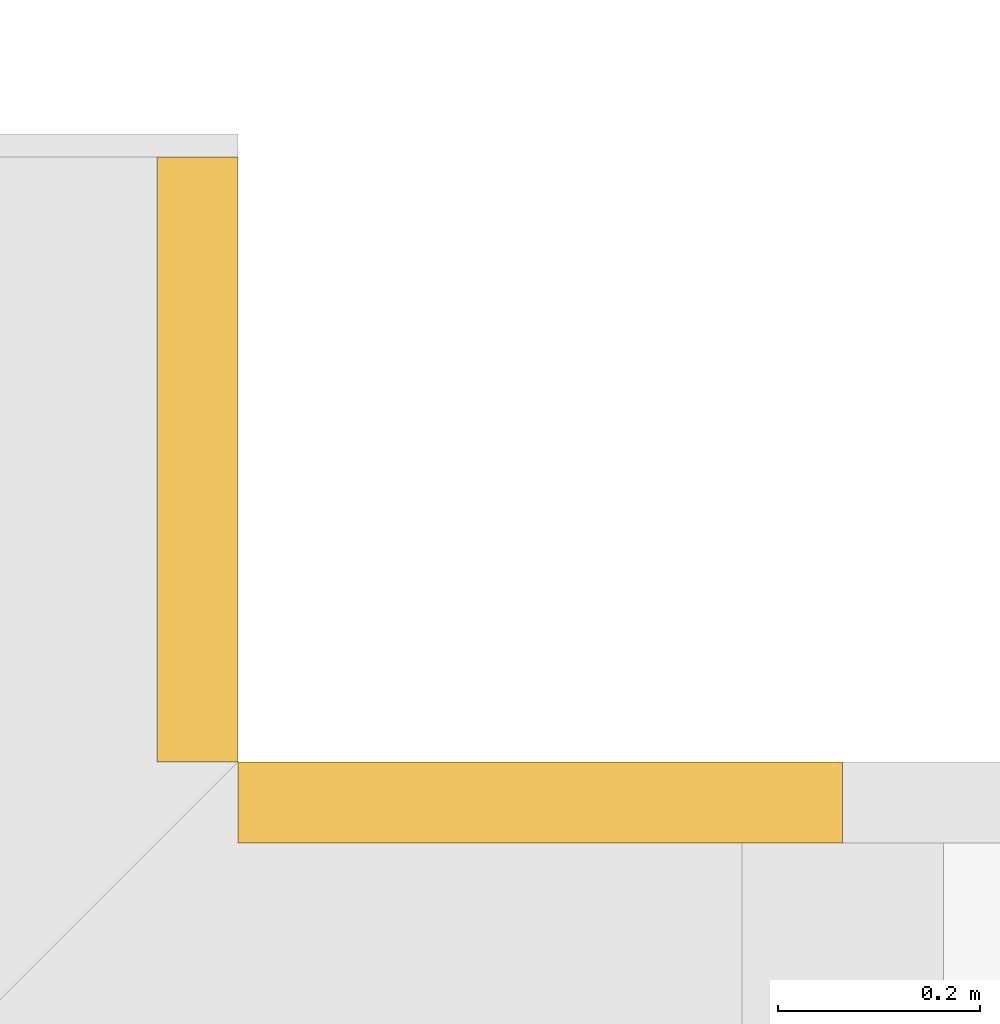
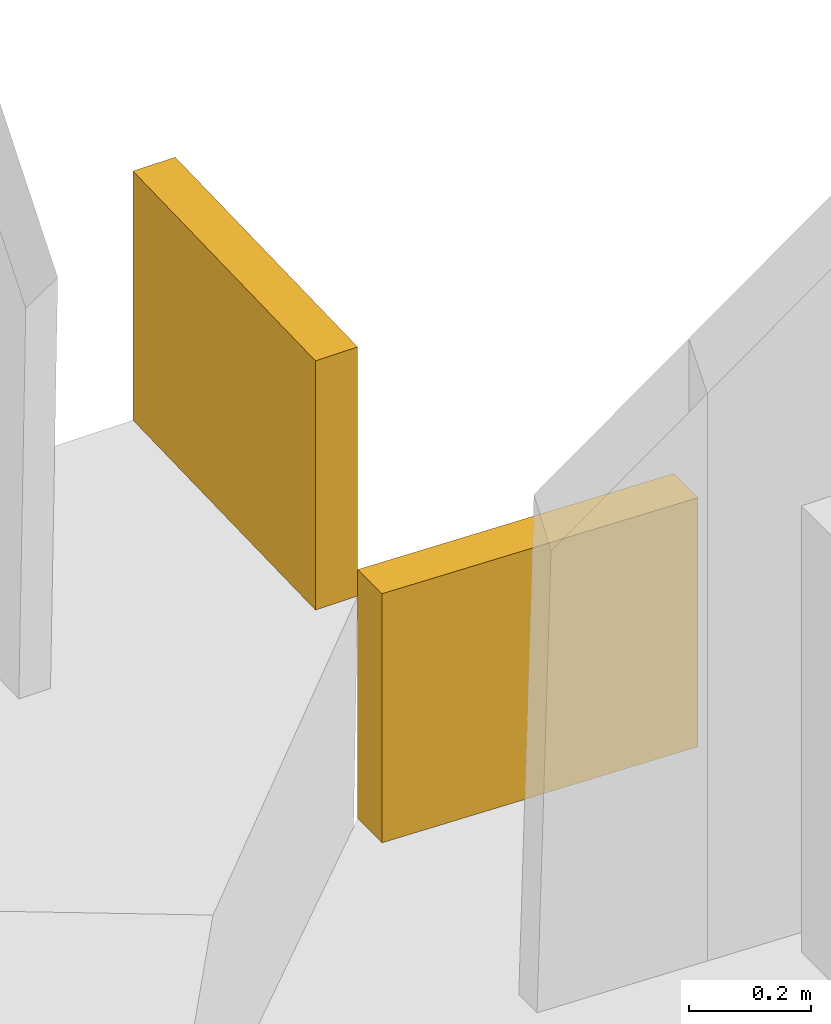
# One storey, part 29 of 29: 2 coverings.
"""IFC4 building model written with IfcOpenShell, lengths in metres."""

from ifc_helpers import new_model, si_unit, direction, frame, origin, place, context, subcontext, project, spatial, polyline, outline, extrude, material, layer, layer_set, type_object, element, save


model = new_model("IFC4")

# Units and contexts
model_context = context("Model", 3, precision=1e-05, world=origin(), true_north=direction((0.0, 1.0)))
body_context = subcontext(model_context, "Body", "Model", "MODEL_VIEW")
ifc_project = project(units=[si_unit("LENGTHUNIT", "METRE"), si_unit("AREAUNIT", "SQUARE_METRE"), si_unit("VOLUMEUNIT", "CUBIC_METRE"), si_unit("PLANEANGLEUNIT", "RADIAN"), si_unit("MASSUNIT", "GRAM", prefix="KILO")], contexts=[model_context])

# Site, building, storey
site_placement = place(None, origin())
site = spatial("IfcSite", under=ifc_project, at=site_placement, CompositionType="ELEMENT")
building_placement = place(site_placement, origin())
building = spatial("IfcBuilding", under=site, at=building_placement, Name="Saffron Gate Tower", CompositionType="ELEMENT")
storey_placement = place(building_placement, frame((0.0, 0.0, 187.050048828125)))
storey = spatial("IfcBuildingStorey", under=building, at=storey_placement, Name="L46", CompositionType="ELEMENT", Elevation=187.050048828125)

# Coverings
ifc_material = material(Name="Timber, thermally modified ash", Category="wood")
ifc_layer = layer(ifc_material, 0.080078125)
ifc_layer_set = layer_set([ifc_layer], Name="LD2 ledge planter trough")
covering_type = type_object("IfcCoveringType", Name="LD2 ledge planter trough", PredefinedType="CLADDING", material=ifc_layer_set)
covering_1_placement = place(storey_placement, frame((125.39990234375, 73.199951171875, 3.024658203125), z_axis=(0.0, 1.0, 0.0), x_axis=(-0.999582742162, 0.0, 0.028884971385)))
element("IfcCovering", 1, at=covering_1_placement, inside=storey, type_object=covering_type, Name="LEDGE planter trough", PredefinedType="CLADDING", context=body_context, shape_type="SweptSolid", body=[
    extrude(outline(polyline([(0.0, 0.0), (0.6001039136866089, 0.0), (0.614546399379222, 0.4997913710809928), (0.014442485692613144, 0.49979137108099286), (0.0, 0.0)])), origin(), (0.0, 0.0, -1.0), 0.080078125),
])
covering_2_placement = place(storey_placement, frame((124.800048828125, 73.199951171875, 3.48876953125), z_axis=(1.0, 0.0, 0.0), x_axis=(0.0, 0.999594735783, 0.028466896463)))
element("IfcCovering", 2, at=covering_2_placement, inside=storey, type_object=covering_type, Name="LEDGE planter trough", PredefinedType="CLADDING", context=body_context, shape_type="SweptSolid", body=[
    extrude(outline(polyline([(0.0, 0.0), (0.6003409529560203, 0.0), (0.6145744011872722, 0.499797367891677), (0.014233448231251987, 0.49979736789167695), (0.0, 0.0)])), origin(), (0.0, 0.0, -1.0), 0.080078125),
])

save(model, "model.ifc")
